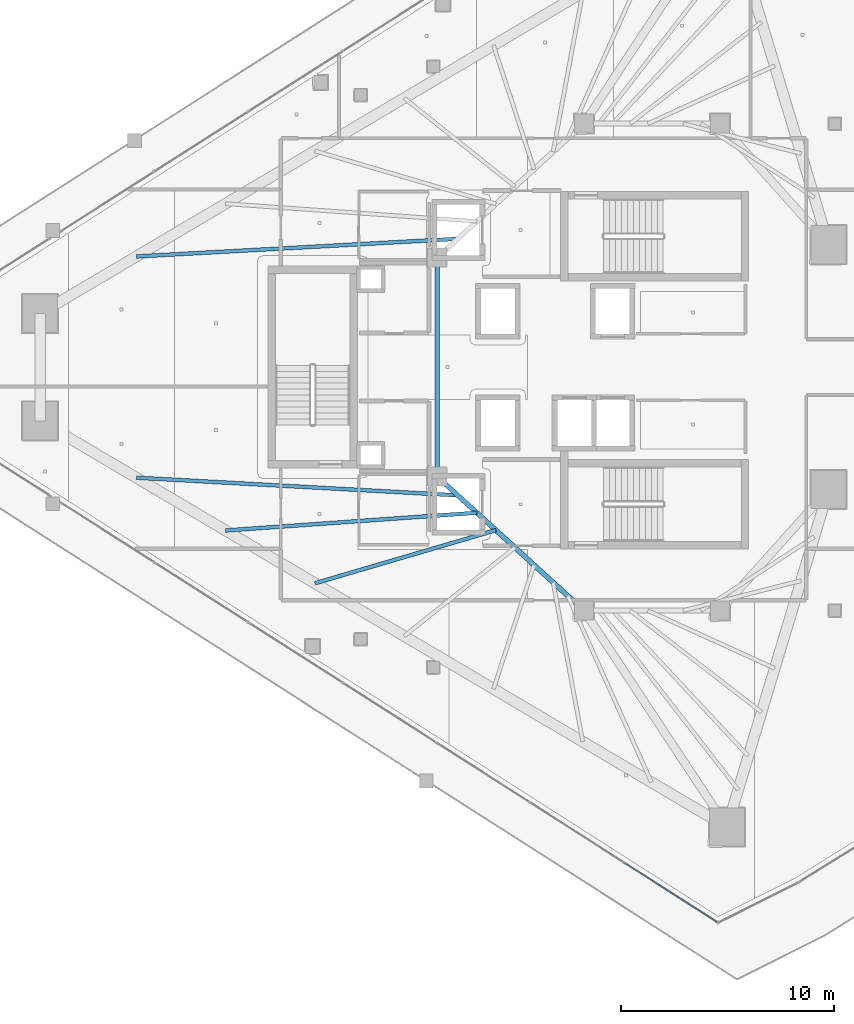
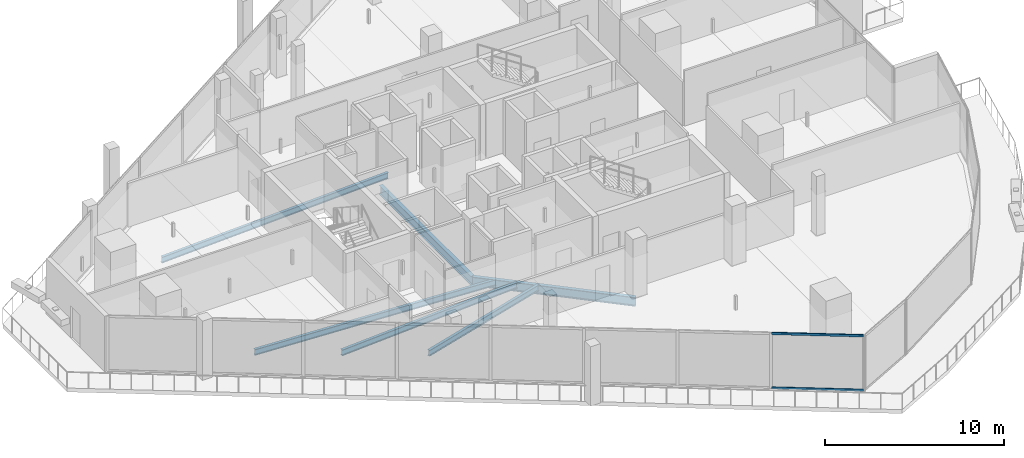
# One storey, part 7 of 30: 6 beams, 2 members, 1 element without a shape of its own.
"""IFC4 building model written with IfcOpenShell, lengths in metres."""

from ifc_helpers import new_model, si_unit, direction, frame, origin, origin_2d, place, context, subcontext, project, spatial, hollow_rectangle, i_section, extrude, material, layer, layer_set, material_profile, profile_set, type_object, element, aggregate, save


model = new_model("IFC4")

# Units and contexts
model_context = context("Model", 3, precision=1e-05, world=origin(), true_north=direction((0.0, 1.0)))
body_context = subcontext(model_context, "Body", "Model", "MODEL_VIEW")
ifc_project = project(units=[si_unit("LENGTHUNIT", "METRE"), si_unit("AREAUNIT", "SQUARE_METRE"), si_unit("VOLUMEUNIT", "CUBIC_METRE"), si_unit("PLANEANGLEUNIT", "RADIAN"), si_unit("MASSUNIT", "GRAM", prefix="KILO")], contexts=[model_context])

# Site, building, storey
site_placement = place(None, origin())
site = spatial("IfcSite", under=ifc_project, at=site_placement, CompositionType="ELEMENT")
building_placement = place(site_placement, origin())
building = spatial("IfcBuilding", under=site, at=building_placement, Name="Qorvath Tower", CompositionType="ELEMENT")
storey_placement = place(building_placement, frame((0.0, 0.0, 217.199951171875)))
storey = spatial("IfcBuildingStorey", under=building, at=storey_placement, Name="L50", CompositionType="ELEMENT", Elevation=217.199951171875)

# Beams
ifc_material_1 = material(Name="Steel ASTM A992 Grade 50", Category="steel")
ifc_material_profile_1 = material_profile(ifc_material_1, i_section(OverallWidth=0.22998046875, OverallDepth=0.616943359375, WebThickness=0.01318359375, FlangeThickness=0.022216796875, FilletRadius=0.014892578125, at=origin_2d()), Name="W24x94")
ifc_profile_set_1 = profile_set([ifc_material_profile_1], Name="Steel ASTM A992 Grade 50")
beam_type_1 = type_object("IfcBeamType", Name="BM-FG6", PredefinedType="BEAM", material=ifc_profile_set_1)
beam_1_placement = place(storey_placement, frame((-23.60009765625, -11.449951171875, -0.57861328125), z_axis=(-0.73847813985, 0.6742774184, 0.0), x_axis=(-0.6742774184, -0.73847813985, 0.0)))
element("IfcBeam", 1, at=beam_1_placement, inside=storey, type_object=beam_type_1, Name="Core Ring Girder CC4-CC6 L50", PredefinedType="BEAM", context=body_context, shape_type="SweptSolid", body=[
    extrude(i_section(OverallWidth=0.22998046875, OverallDepth=0.616943359375, WebThickness=0.01318359375, FlangeThickness=0.022216796875, FilletRadius=0.014892578125, at=origin_2d()), origin(), (0.0, 0.0, 1.0), 9.343505859375),
])
beam_2_placement = place(storey_placement, frame((-30.5, -5.14990234375, -0.57861328125), z_axis=(0.0, 1.0, 0.0), x_axis=(-1.0, 0.0, 0.0)))
element("IfcBeam", 2, at=beam_2_placement, inside=storey, type_object=beam_type_1, Name="Core Ring Girder CC6-CC5 L50", PredefinedType="BEAM", context=body_context, shape_type="SweptSolid", body=[
    extrude(i_section(OverallWidth=0.22998046875, OverallDepth=0.616943359375, WebThickness=0.01318359375, FlangeThickness=0.022216796875, FilletRadius=0.014892578125, at=origin_2d()), origin(), (0.0, 0.0, 1.0), 10.2998046875),
])
ifc_material_2 = material(Name="Steel ASTM A992 Grade 50", Category="steel")
ifc_material_profile_2 = material_profile(ifc_material_2, i_section(OverallWidth=0.177978515625, OverallDepth=0.406005859375, WebThickness=0.0078125, FlangeThickness=0.0126953125, FilletRadius=0.010986328125, at=origin_2d()), Name="W16x40")
ifc_profile_set_2 = profile_set([ifc_material_profile_2], Name="Steel ASTM A992 Grade 50")
beam_type_2 = type_object("IfcBeamType", Name="BM-FJ3", PredefinedType="JOIST", material=ifc_profile_set_2)
for number, where, z_axis, x_axis, name in (
    (3, (-29.533935546875, 6.031982421875, -0.47314453125), (-0.998494745044, -0.054847462293, 0.0), (0.054847462293, -0.998494745044, 0.0), "Composite Floor Joist NW1 L50"),
    (4, (-29.533935546875, -6.031982421875, -0.47314453125), (-0.998494745044, 0.054847462293, 0.0), (-0.054847462293, -0.998494745044, 0.0), "Composite Floor Joist SW1 L50"),
):
    element("IfcBeam", number, at=place(storey_placement, frame(where, z_axis=z_axis, x_axis=x_axis)), inside=storey, type_object=beam_type_2, Name=name, PredefinedType="JOIST", context=body_context, shape_type="SweptSolid", body=[
        extrude(i_section(OverallWidth=0.177978515625, OverallDepth=0.406005859375, WebThickness=0.0078125, FlangeThickness=0.0126953125, FilletRadius=0.010986328125, at=origin_2d()), origin(), (0.0, 0.0, 1.0), 15.138671875),
    ])
beam_3_placement = place(storey_placement, frame((-28.636962890625, -6.85107421875, -0.47314453125), z_axis=(-0.997520476731, -0.070376832146, 0.0), x_axis=(0.070376832146, -0.997520476731, 0.0)))
element("IfcBeam", 5, at=beam_3_placement, inside=storey, type_object=beam_type_2, Name="Composite Floor Joist SW2 L50", PredefinedType="JOIST", context=body_context, shape_type="SweptSolid", body=[
    extrude(i_section(OverallWidth=0.177978515625, OverallDepth=0.406005859375, WebThickness=0.0078125, FlangeThickness=0.0126953125, FilletRadius=0.010986328125, at=origin_2d()), origin(), (0.0, 0.0, 1.0), 11.84326171875),
])
beam_4_placement = place(storey_placement, frame((-27.739990234375, -7.669921875, -0.47314453125), z_axis=(-0.959544992264, -0.281555337049, 0.0), x_axis=(0.281555337049, -0.959544992264, 0.0)))
element("IfcBeam", 6, at=beam_4_placement, inside=storey, type_object=beam_type_2, Name="Composite Floor Joist SW3 L50", PredefinedType="JOIST", context=body_context, shape_type="SweptSolid", body=[
    extrude(i_section(OverallWidth=0.177978515625, OverallDepth=0.406005859375, WebThickness=0.0078125, FlangeThickness=0.0126953125, FilletRadius=0.010986328125, at=origin_2d()), origin(), (0.0, 0.0, 1.0), 8.87060546875),
])

# Curtain wall, members
ifc_material_3 = material(Name="Anodised aluminium and triple low-E glass", Category="aluminium")
ifc_layer = layer(ifc_material_3, 0.179931640625)
ifc_layer_set = layer_set([ifc_layer], Name="CW-SYS-3")
curtain_wall_type = type_object("IfcCurtainWallType", Name="CW-SYS-3", PredefinedType="NOTDEFINED", material=ifc_layer_set)
curtain_wall_placement = place(storey_placement, origin())
curtain_wall = element("IfcCurtainWall", 7, at=curtain_wall_placement, inside=storey, type_object=curtain_wall_type, Name="Curtain Wall CW-3 CW-T-L50-2.2", PredefinedType="NOTDEFINED")
ifc_material_4 = material(Name="Anodised aluminium 6063-T6", Category="aluminium")
ifc_material_profile_3 = material_profile(ifc_material_4, hollow_rectangle(XDim=0.06494140625, YDim=0.159912109375, WallThickness=0.00341796875, InnerFilletRadius=0.00341796875, OuterFilletRadius=0.007080078125, at=origin_2d()), Name="CWT 160x65")
ifc_profile_set_3 = profile_set([ifc_material_profile_3], Name="Anodised aluminium 6063-T6")
member_type = type_object("IfcMemberType", Name="CWT-160", PredefinedType="USERDEFINED", material=ifc_profile_set_3)
member_1_placement = place(storey_placement, frame((-21.67822265625, -23.328857421875, 0.032470703125), z_axis=(0.842590987115, -0.538554016263, 0.0), x_axis=(0.538554016263, 0.842590987115, 0.0)))
member_1 = element("IfcMember", 8, at=member_1_placement, type_object=member_type, Name="CW-3 transom 7.1", ObjectType="TRANSOM", PredefinedType="USERDEFINED", context=body_context, shape_type="SweptSolid", body=[
    extrude(hollow_rectangle(XDim=0.06494140625, YDim=0.159912109375, WallThickness=0.00341796875, InnerFilletRadius=0.00341796875, OuterFilletRadius=0.007080078125, at=origin_2d()), origin(), (0.0, 0.0, 1.0), 5.144775390625),
])
member_2_placement = place(storey_placement, frame((-21.67822265625, -23.328857421875, 3.74755859375), z_axis=(0.842590987115, -0.538554016263, 0.0), x_axis=(0.538554016263, 0.842590987115, 0.0)))
member_2 = element("IfcMember", 9, at=member_2_placement, type_object=member_type, Name="CW-3 transom 7.2", ObjectType="TRANSOM", PredefinedType="USERDEFINED", context=body_context, shape_type="SweptSolid", body=[
    extrude(hollow_rectangle(XDim=0.06494140625, YDim=0.159912109375, WallThickness=0.00341796875, InnerFilletRadius=0.00341796875, OuterFilletRadius=0.007080078125, at=origin_2d()), origin(), (0.0, 0.0, 1.0), 5.144775390625),
])
aggregate(curtain_wall, [member_1, member_2])

save(model, "model.ifc")
